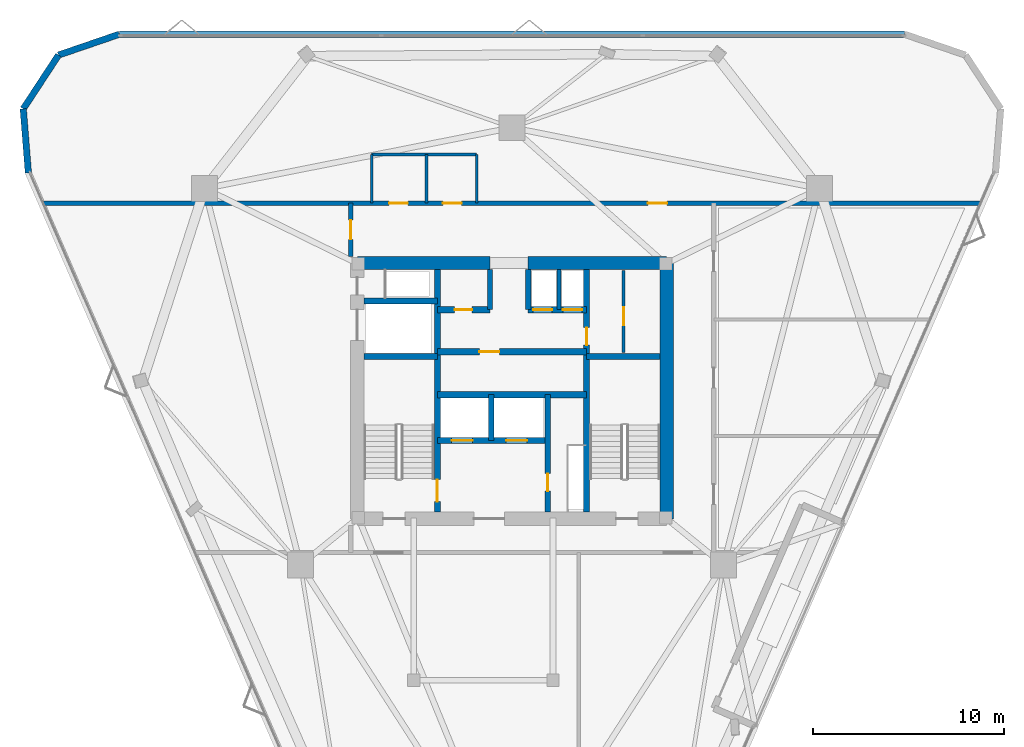
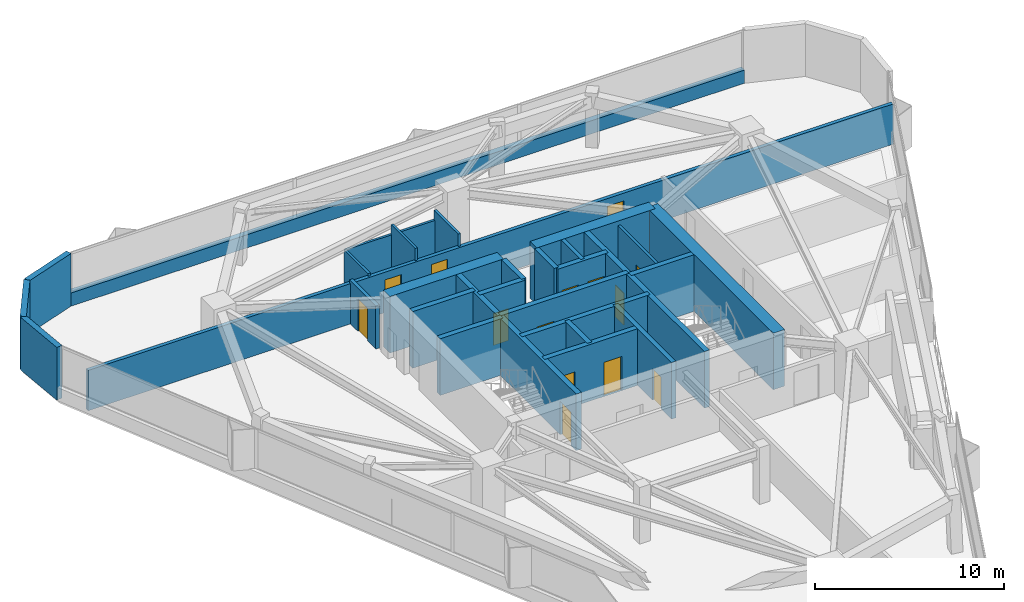
# One storey, part 8 of 11: 29 walls, 14 doors, 14 openings.
"""IFC4 building model written with IfcOpenShell, lengths in metres."""

from ifc_helpers import new_model, si_unit, direction, frame, frame_2d, origin, place, context, subcontext, project, spatial, rectangle, extrude, material, layer, layer_set, type_object, element, fill, save


model = new_model("IFC4")

# Units and contexts
model_context = context("Model", 3, precision=1e-05, world=origin(), true_north=direction((0.0, 1.0)))
body_context = subcontext(model_context, "Body", "Model", "MODEL_VIEW")
ifc_project = project(units=[si_unit("LENGTHUNIT", "METRE"), si_unit("AREAUNIT", "SQUARE_METRE"), si_unit("VOLUMEUNIT", "CUBIC_METRE"), si_unit("PLANEANGLEUNIT", "RADIAN"), si_unit("MASSUNIT", "GRAM", prefix="KILO")], contexts=[model_context])

# Site, building, storey
site_placement = place(None, origin())
site = spatial("IfcSite", under=ifc_project, at=site_placement, CompositionType="ELEMENT")
building_placement = place(site_placement, origin())
building = spatial("IfcBuilding", under=site, at=building_placement, Name="Talyreon Biosciences Tower", CompositionType="ELEMENT")
storey_placement = place(building_placement, frame((0.0, 0.0, 201.300048828125)))
storey = spatial("IfcBuildingStorey", under=building, at=storey_placement, Name="L53", CompositionType="ELEMENT", Elevation=201.300048828125)

# Walls
ifc_material_1 = material(Name="Concrete C50/60", Category="concrete")
ifc_layer_1 = layer(ifc_material_1, 0.219970703125)
ifc_layer_set_1 = layer_set([ifc_layer_1], Name="Concrete C50/60")
wall_type_1 = type_object("IfcWallType", Name="CoreShearWall_220", PredefinedType="SHEAR", material=ifc_layer_set_1)
wall_1_placement = place(storey_placement, frame((68.4599609375, 72.25, 0.0), z_axis=(0.0, 0.0, 1.0), x_axis=(0.0, 1.0, 0.0)))
element("IfcWall", 1, at=wall_1_placement, inside=storey, type_object=wall_type_1, Name="L53 Core Shaft Wall SWPHD", PredefinedType="SHEAR", context=body_context, shape_type="SweptSolid", body=[
    extrude(rectangle(XDim=2.10009765625, YDim=0.219970703125, at=frame_2d((1.050048828125, 0.0))), origin(), (0.0, 0.0, 1.0), 3.64990234375),
])
ifc_layer_2 = layer(ifc_material_1, 0.280029296875)
ifc_layer_set_2 = layer_set([ifc_layer_2], Name="Concrete C50/60")
wall_type_2 = type_object("IfcWallType", Name="CoreShearWall_280", PredefinedType="SHEAR", material=ifc_layer_set_2)
wall_2_placement = place(storey_placement, frame((64.919921875, 65.39990234375, 0.0), z_axis=(0.0, 0.0, 1.0), x_axis=(0.0, 1.0, 0.0)))
element("IfcWall", 2, at=wall_2_placement, inside=storey, type_object=wall_type_2, Name="L53 Core Shaft Wall SWSHD1", PredefinedType="SHEAR", context=body_context, shape_type="SweptSolid", body=[
    extrude(rectangle(XDim=2.400146484375, YDim=0.280029296875, at=frame_2d((1.2001953125, 0.0))), origin(), (0.0, 0.0, 1.0), 3.64990234375),
])
for number, where, z_axis, x_axis, name in (
    (3, (64.85009765625, 72.25, 0.0), (0.0, 0.0, 1.0), (0.0, 1.0, 0.0), "L53 Core Shaft Wall SWTHW"),
    (4, (66.85009765625, 72.25, 0.0), (0.0, 0.0, 1.0), (0.0, 1.0, 0.0), "L53 Core Shaft Wall SWTHE"),
):
    element("IfcWall", number, at=place(storey_placement, frame(where, z_axis=z_axis, x_axis=x_axis)), inside=storey, type_object=wall_type_2, Name=name, PredefinedType="SHEAR", context=body_context, shape_type="SweptSolid", body=[
        extrude(rectangle(XDim=2.10009765625, YDim=0.280029296875, at=frame_2d((1.050048828125, 0.0))), origin(), (0.0, 0.0, 1.0), 3.64990234375),
    ])

# Wall, opening, door
wall_3_placement = place(storey_placement, frame((67.8798828125, 61.64990234375, 0.0), z_axis=(0.0, 0.0, 1.0), x_axis=(0.0, 1.0, 0.0)))
wall_3 = element("IfcWall", 5, at=wall_3_placement, inside=storey, type_object=wall_type_2, Name="L53 Core Shaft Wall SWFFE", PredefinedType="SHEAR", context=body_context, shape_type="SweptSolid", body=[
    extrude(rectangle(XDim=6.150146484375, YDim=0.280029296875, at=frame_2d((3.0751953125, 0.0))), origin(), (0.0, 0.0, 1.0), 3.64990234375),
])
opening_1_placement = place(wall_3_placement, frame((1.10009765625, 0.0, 0.0)))
opening_1 = element("IfcOpeningElement", 6, at=opening_1_placement, cuts=wall_3, Name="Opening DR-L53-RSE", PredefinedType="OPENING", context=body_context, shape_type="SweptSolid", body=[
    extrude(rectangle(XDim=0.919921875, YDim=2.050048828125, at=frame_2d((0.4599609375, 1.02490234375))), frame((0.0, 0.14990234375, 0.0), z_axis=(0.0, -1.0, 0.0), x_axis=(1.0, 0.0, 0.0)), (0.0, 0.0, 1.0), 0.300048828125),
])
ifc_material_2 = material(Name="Painted steel fire-rated riser door", Category="steel")
door_type_1 = type_object("IfcDoorType", Name="RiserPlantAccessDoor_920x2050", OperationType="NOTDEFINED", PredefinedType="DOOR", material=ifc_material_2)
door_1_placement = place(opening_1_placement, origin())
door_1 = element("IfcDoor", 7, at=door_1_placement, inside=storey, type_object=door_type_1, Name="L53 Core Door DR-L53-RSE", OperationType="SINGLE_SWING_RIGHT", OverallHeight=2.050048828125, OverallWidth=0.919921875, PredefinedType="DOOR", context=body_context, shape_type="SweptSolid", body=[
    extrude(rectangle(XDim=0.919921875, YDim=2.050048828125, at=frame_2d((0.4599609375, 1.02490234375))), frame((0.0, 0.02490234375, 0.0), z_axis=(0.0, -1.0, 0.0), x_axis=(1.0, 0.0, 0.0)), (0.0, 0.0, 1.0), 0.050048828125),
])
fill(opening_1, door_1)

ifc_layer_3 = layer(ifc_material_1, 0.320068359375)
ifc_layer_set_3 = layer_set([ifc_layer_3], Name="Concrete C50/60")
wall_type_3 = type_object("IfcWallType", Name="CoreShearWall_320", PredefinedType="SHEAR", material=ifc_layer_set_3)
wall_4_placement = place(storey_placement, frame((62.090087890625, 61.64990234375, 0.0), z_axis=(0.0, 0.0, 1.0), x_axis=(0.0, 1.0, 0.0)))
wall_4 = element("IfcWall", 8, at=wall_4_placement, inside=storey, type_object=wall_type_3, Name="L53 Core Shaft Wall SW1E", PredefinedType="SHEAR", context=body_context, shape_type="SweptSolid", body=[
    extrude(rectangle(XDim=12.7001953125, YDim=0.320068359375, at=frame_2d((6.35009765625, 0.0))), origin(), (0.0, 0.0, 1.0), 3.64990234375),
])
opening_2_placement = place(wall_4_placement, frame((0.550048828125, 0.0, 0.0)))
opening_2 = element("IfcOpeningElement", 9, at=opening_2_placement, cuts=wall_4, Name="Opening DR-L53-FF-ST1", PredefinedType="OPENING", context=body_context, shape_type="SweptSolid", body=[
    extrude(rectangle(XDim=1.14990234375, YDim=2.14990234375, at=frame_2d((0.574951171875, 1.074951171875))), frame((0.0, 0.169921875, 0.0), z_axis=(0.0, -1.0, 0.0), x_axis=(1.0, 0.0, 0.0)), (0.0, 0.0, 1.0), 0.340087890625),
])
ifc_material_3 = material(Name="Painted steel fire door", Category="steel")
door_type_2 = type_object("IfcDoorType", Name="StairShaftFireDoor_1150x2150", OperationType="NOTDEFINED", PredefinedType="DOOR", material=ifc_material_3)
door_2_placement = place(opening_2_placement, origin())
door_2 = element("IfcDoor", 10, at=door_2_placement, inside=storey, type_object=door_type_2, Name="L53 Core Door DR-L53-FF-ST1", OperationType="SINGLE_SWING_LEFT", OverallHeight=2.14990234375, OverallWidth=1.14990234375, PredefinedType="DOOR", context=body_context, shape_type="SweptSolid", body=[
    extrude(rectangle(XDim=1.14990234375, YDim=2.14990234375, at=frame_2d((0.574951171875, 1.074951171875))), frame((0.0, 0.02490234375, 0.0), z_axis=(0.0, -1.0, 0.0), x_axis=(1.0, 0.0, 0.0)), (0.0, 0.0, 1.0), 0.050048828125),
])
fill(opening_2, door_2)

wall_5_placement = place(storey_placement, frame((69.909912109375, 61.64990234375, 0.0), z_axis=(0.0, 0.0, 1.0), x_axis=(0.0, 1.0, 0.0)))
wall_5 = element("IfcWall", 11, at=wall_5_placement, inside=storey, type_object=wall_type_3, Name="L53 Core Shaft Wall SW2W", PredefinedType="SHEAR", context=body_context, shape_type="SweptSolid", body=[
    extrude(rectangle(XDim=12.7001953125, YDim=0.320068359375, at=frame_2d((6.35009765625, 0.0))), origin(), (0.0, 0.0, 1.0), 3.64990234375),
])
opening_3_placement = place(wall_5_placement, frame((8.75, 0.0, 0.0)))
opening_3 = element("IfcOpeningElement", 12, at=opening_3_placement, cuts=wall_5, Name="Opening DR-L53-CSRV", PredefinedType="OPENING", context=body_context, shape_type="SweptSolid", body=[
    extrude(rectangle(XDim=0.919921875, YDim=2.050048828125, at=frame_2d((0.4599609375, 1.02490234375))), frame((0.0, 0.169921875, 0.0), z_axis=(0.0, -1.0, 0.0), x_axis=(1.0, 0.0, 0.0)), (0.0, 0.0, 1.0), 0.340087890625),
])
door_3_placement = place(opening_3_placement, origin())
door_3 = element("IfcDoor", 13, at=door_3_placement, inside=storey, type_object=door_type_1, Name="L53 Core Door DR-L53-CSRV", OperationType="SINGLE_SWING_RIGHT", OverallHeight=2.050048828125, OverallWidth=0.919921875, PredefinedType="DOOR", context=body_context, shape_type="SweptSolid", body=[
    extrude(rectangle(XDim=0.919921875, YDim=2.050048828125, at=frame_2d((0.4599609375, 1.02490234375))), frame((0.0, 0.02490234375, 0.0), z_axis=(0.0, -1.0, 0.0), x_axis=(1.0, 0.0, 0.0)), (0.0, 0.0, 1.0), 0.050048828125),
])
fill(opening_3, door_3)

# Walls
for number, where, z_axis, x_axis, name in (
    (14, (58.25, 69.81005859375, 0.0), (0.0, 0.0, 1.0), (1.0, 0.0, 0.0), "L53 Core Shaft Wall SW1N"),
    (15, (69.909912109375, 69.81005859375, 0.0), (0.0, 0.0, 1.0), (1.0, 0.0, 0.0), "L53 Core Shaft Wall SW2N"),
    (16, (58.25, 72.699951171875, 0.0), (0.0, 0.0, 1.0), (1.0, 0.0, 0.0), "L53 Core Shaft Wall SWGLN"),
):
    element("IfcWall", number, at=place(storey_placement, frame(where, z_axis=z_axis, x_axis=x_axis)), inside=storey, type_object=wall_type_3, Name=name, PredefinedType="SHEAR", context=body_context, shape_type="SweptSolid", body=[
        extrude(rectangle(XDim=3.840087890625, YDim=0.320068359375, at=frame_2d((1.919921875, 0.0))), origin(), (0.0, 0.0, 1.0), 3.64990234375),
    ])
wall_6_placement = place(storey_placement, frame((62.090087890625, 67.800048828125, 0.0), z_axis=(0.0, 0.0, 1.0), x_axis=(1.0, 0.0, 0.0)))
element("IfcWall", 17, at=wall_6_placement, inside=storey, type_object=wall_type_3, Name="L53 Core Shaft Wall SWSHM", PredefinedType="SHEAR", context=body_context, shape_type="SweptSolid", body=[
    extrude(rectangle(XDim=7.81982421875, YDim=0.320068359375, at=frame_2d((3.909912109375, 0.0))), origin(), (0.0, 0.0, 1.0), 3.64990234375),
])

# Wall, opening, door
wall_7_placement = place(storey_placement, frame((62.090087890625, 70.050048828125, 0.0), z_axis=(0.0, 0.0, 1.0), x_axis=(1.0, 0.0, 0.0)))
wall_7 = element("IfcWall", 18, at=wall_7_placement, inside=storey, type_object=wall_type_3, Name="L53 Core Shaft Wall SWSPN", PredefinedType="SHEAR", context=body_context, shape_type="SweptSolid", body=[
    extrude(rectangle(XDim=7.81982421875, YDim=0.320068359375, at=frame_2d((3.909912109375, 0.0))), origin(), (0.0, 0.0, 1.0), 3.64990234375),
])
opening_4_placement = place(wall_7_placement, frame((2.199951171875, 0.0, 0.0)))
opening_4 = element("IfcOpeningElement", 19, at=opening_4_placement, cuts=wall_7, Name="Opening DR-L53-PLPMFREE", PredefinedType="OPENING", context=body_context, shape_type="SweptSolid", body=[
    extrude(rectangle(XDim=1.050048828125, YDim=2.14990234375, at=frame_2d((0.52490234375, 1.074951171875))), frame((0.0, 0.169921875, 0.0), z_axis=(0.0, -1.0, 0.0), x_axis=(1.0, 0.0, 0.0)), (0.0, 0.0, 1.0), 0.340087890625),
])
ifc_material_4 = material(Name="Acoustic timber-core laboratory door", Category="wood")
door_type_3 = type_object("IfcDoorType", Name="DryLabSingleDoor_1050x2150", OperationType="NOTDEFINED", PredefinedType="DOOR", material=ifc_material_4)
door_4_placement = place(opening_4_placement, origin())
door_4 = element("IfcDoor", 20, at=door_4_placement, inside=storey, type_object=door_type_3, Name="L53 Core Door DR-L53-PLPMFREE", OperationType="SINGLE_SWING_LEFT", OverallHeight=2.14990234375, OverallWidth=1.050048828125, PredefinedType="DOOR", context=body_context, shape_type="SweptSolid", body=[
    extrude(rectangle(XDim=1.050048828125, YDim=2.14990234375, at=frame_2d((0.52490234375, 1.074951171875))), frame((0.0, 0.02490234375, 0.0), z_axis=(0.0, -1.0, 0.0), x_axis=(1.0, 0.0, 0.0)), (0.0, 0.0, 1.0), 0.050048828125),
])
fill(opening_4, door_4)

wall_8_placement = place(storey_placement, frame((62.090087890625, 72.25, 0.0), z_axis=(0.0, 0.0, 1.0), x_axis=(1.0, 0.0, 0.0)))
wall_8 = element("IfcWall", 21, at=wall_8_placement, inside=storey, type_object=wall_type_3, Name="L53 Core Shaft Wall SWNPW", PredefinedType="SHEAR", context=body_context, shape_type="SweptSolid", body=[
    extrude(rectangle(XDim=2.760009765625, YDim=0.320068359375, at=frame_2d((1.3798828125, 0.0))), origin(), (0.0, 0.0, 1.0), 3.64990234375),
])
opening_5_placement = place(wall_8_placement, frame((0.89990234375, 0.0, 0.0)))
opening_5 = element("IfcOpeningElement", 22, at=opening_5_placement, cuts=wall_8, Name="Opening DR-L53-PM2FREE", PredefinedType="OPENING", context=body_context, shape_type="SweptSolid", body=[
    extrude(rectangle(XDim=0.919921875, YDim=2.050048828125, at=frame_2d((0.4599609375, 1.02490234375))), frame((0.0, 0.169921875, 0.0), z_axis=(0.0, -1.0, 0.0), x_axis=(1.0, 0.0, 0.0)), (0.0, 0.0, 1.0), 0.340087890625),
])
door_5_placement = place(opening_5_placement, origin())
door_5 = element("IfcDoor", 23, at=door_5_placement, inside=storey, type_object=door_type_1, Name="L53 Core Door DR-L53-PM2FREE", OperationType="SINGLE_SWING_RIGHT", OverallHeight=2.050048828125, OverallWidth=0.919921875, PredefinedType="DOOR", context=body_context, shape_type="SweptSolid", body=[
    extrude(rectangle(XDim=0.919921875, YDim=2.050048828125, at=frame_2d((0.4599609375, 1.02490234375))), frame((0.0, 0.02490234375, 0.0), z_axis=(0.0, -1.0, 0.0), x_axis=(1.0, 0.0, 0.0)), (0.0, 0.0, 1.0), 0.050048828125),
])
fill(opening_5, door_5)

# Wall, openings, doors
wall_9_placement = place(storey_placement, frame((66.85009765625, 72.25, 0.0), z_axis=(0.0, 0.0, 1.0), x_axis=(1.0, 0.0, 0.0)))
wall_9 = element("IfcWall", 24, at=wall_9_placement, inside=storey, type_object=wall_type_3, Name="L53 Core Shaft Wall SWNPE", PredefinedType="SHEAR", context=body_context, shape_type="SweptSolid", body=[
    extrude(rectangle(XDim=3.059814453125, YDim=0.320068359375, at=frame_2d((1.52978515625, 0.0))), origin(), (0.0, 0.0, 1.0), 3.64990234375),
])
opening_6_placement = place(wall_9_placement, frame((0.25, 0.0, 0.0)))
opening_6 = element("IfcOpeningElement", 25, at=opening_6_placement, cuts=wall_9, Name="Opening LD-L53-PH1", PredefinedType="OPENING", context=body_context, shape_type="SweptSolid", body=[
    extrude(rectangle(XDim=1.0, YDim=2.199951171875, at=frame_2d((0.5, 1.10009765625))), frame((0.0, 0.169921875, 0.0), z_axis=(0.0, -1.0, 0.0), x_axis=(1.0, 0.0, 0.0)), (0.0, 0.0, 1.0), 0.340087890625),
])
opening_7_placement = place(wall_9_placement, frame((1.820068359375, 0.0, 0.0)))
opening_7 = element("IfcOpeningElement", 26, at=opening_7_placement, cuts=wall_9, Name="Opening LD-L53-PH2", PredefinedType="OPENING", context=body_context, shape_type="SweptSolid", body=[
    extrude(rectangle(XDim=1.0, YDim=2.199951171875, at=frame_2d((0.5, 1.10009765625))), frame((0.0, 0.169921875, 0.0), z_axis=(0.0, -1.0, 0.0), x_axis=(1.0, 0.0, 0.0)), (0.0, 0.0, 1.0), 0.340087890625),
])
ifc_material_5 = material(Name="Brushed stainless-steel lift landing door", Category="steel")
door_type_4 = type_object("IfcDoorType", Name="LiftSlidingLandingDoor_1100x2200", OperationType="SLIDING_TO_LEFT", PredefinedType="DOOR", material=ifc_material_5)
door_6_placement = place(opening_6_placement, origin())
door_6 = element("IfcDoor", 27, at=door_6_placement, inside=storey, type_object=door_type_4, Name="L53 Core Door LD-L53-PH1", OperationType="SLIDING_TO_LEFT", OverallHeight=2.199951171875, OverallWidth=1.0, PredefinedType="DOOR", context=body_context, shape_type="SweptSolid", body=[
    extrude(rectangle(XDim=1.0, YDim=2.199951171875, at=frame_2d((0.5, 1.10009765625))), frame((0.0, 0.02490234375, 0.0), z_axis=(0.0, -1.0, 0.0), x_axis=(1.0, 0.0, 0.0)), (0.0, 0.0, 1.0), 0.050048828125),
])
fill(opening_6, door_6)
door_7_placement = place(opening_7_placement, origin())
door_7 = element("IfcDoor", 28, at=door_7_placement, inside=storey, type_object=door_type_4, Name="L53 Core Door LD-L53-PH2", OperationType="SLIDING_TO_LEFT", OverallHeight=2.199951171875, OverallWidth=1.0, PredefinedType="DOOR", context=body_context, shape_type="SweptSolid", body=[
    extrude(rectangle(XDim=1.0, YDim=2.199951171875, at=frame_2d((0.5, 1.10009765625))), frame((0.0, 0.02490234375, 0.0), z_axis=(0.0, -1.0, 0.0), x_axis=(1.0, 0.0, 0.0)), (0.0, 0.0, 1.0), 0.050048828125),
])
fill(opening_7, door_7)

wall_10_placement = place(storey_placement, frame((62.090087890625, 65.39990234375, 0.0), z_axis=(0.0, 0.0, 1.0), x_axis=(1.0, 0.0, 0.0)))
wall_10 = element("IfcWall", 29, at=wall_10_placement, inside=storey, type_object=wall_type_3, Name="L53 Core Shaft Wall SWFFN", PredefinedType="SHEAR", context=body_context, shape_type="SweptSolid", body=[
    extrude(rectangle(XDim=5.789794921875, YDim=0.320068359375, at=frame_2d((2.89501953125, 0.0))), origin(), (0.0, 0.0, 1.0), 3.64990234375),
])
opening_8_placement = place(wall_10_placement, frame((0.75, 0.0, 0.0)))
opening_8 = element("IfcOpeningElement", 30, at=opening_8_placement, cuts=wall_10, Name="Opening LD-L53-FL1", PredefinedType="OPENING", context=body_context, shape_type="SweptSolid", body=[
    extrude(rectangle(XDim=1.10009765625, YDim=2.199951171875, at=frame_2d((0.550048828125, 1.10009765625))), frame((0.0, 0.169921875, 0.0), z_axis=(0.0, -1.0, 0.0), x_axis=(1.0, 0.0, 0.0)), (0.0, 0.0, 1.0), 0.340087890625),
])
opening_9_placement = place(wall_10_placement, frame((3.60009765625, 0.0, 0.0)))
opening_9 = element("IfcOpeningElement", 31, at=opening_9_placement, cuts=wall_10, Name="Opening LD-L53-FL2", PredefinedType="OPENING", context=body_context, shape_type="SweptSolid", body=[
    extrude(rectangle(XDim=1.10009765625, YDim=2.199951171875, at=frame_2d((0.550048828125, 1.10009765625))), frame((0.0, 0.169921875, 0.0), z_axis=(0.0, -1.0, 0.0), x_axis=(1.0, 0.0, 0.0)), (0.0, 0.0, 1.0), 0.340087890625),
])
door_8_placement = place(opening_8_placement, origin())
door_8 = element("IfcDoor", 32, at=door_8_placement, inside=storey, type_object=door_type_4, Name="L53 Core Door LD-L53-FL1", OperationType="SLIDING_TO_LEFT", OverallHeight=2.199951171875, OverallWidth=1.10009765625, PredefinedType="DOOR", context=body_context, shape_type="SweptSolid", body=[
    extrude(rectangle(XDim=1.10009765625, YDim=2.199951171875, at=frame_2d((0.550048828125, 1.10009765625))), frame((0.0, 0.02490234375, 0.0), z_axis=(0.0, -1.0, 0.0), x_axis=(1.0, 0.0, 0.0)), (0.0, 0.0, 1.0), 0.050048828125),
])
fill(opening_8, door_8)
door_9_placement = place(opening_9_placement, origin())
door_9 = element("IfcDoor", 33, at=door_9_placement, inside=storey, type_object=door_type_4, Name="L53 Core Door LD-L53-FL2", OperationType="SLIDING_TO_LEFT", OverallHeight=2.199951171875, OverallWidth=1.10009765625, PredefinedType="DOOR", context=body_context, shape_type="SweptSolid", body=[
    extrude(rectangle(XDim=1.10009765625, YDim=2.199951171875, at=frame_2d((0.550048828125, 1.10009765625))), frame((0.0, 0.02490234375, 0.0), z_axis=(0.0, -1.0, 0.0), x_axis=(1.0, 0.0, 0.0)), (0.0, 0.0, 1.0), 0.050048828125),
])
fill(opening_9, door_9)

# Walls
ifc_layer_4 = layer(ifc_material_1, 0.699951171875)
ifc_layer_set_4 = layer_set([ifc_layer_4], Name="Concrete C50/60")
wall_type_4 = type_object("IfcWallType", Name="CoreShearWall_700", PredefinedType="SHEAR", material=ifc_layer_set_4)
wall_11_placement = place(storey_placement, frame((74.10009765625, 61.300048828125, 0.0), z_axis=(0.0, 0.0, 1.0), x_axis=(0.0, 1.0, 0.0)))
element("IfcWall", 34, at=wall_11_placement, inside=storey, type_object=wall_type_4, Name="L53 Core Shear Wall E", PredefinedType="SHEAR", context=body_context, shape_type="SweptSolid", body=[
    extrude(rectangle(XDim=13.39990234375, YDim=0.699951171875, at=frame_2d((6.699951171875, 0.0))), origin(), (0.0, 0.0, 1.0), 3.64990234375),
])
wall_12_placement = place(storey_placement, frame((74.10009765625, 74.699951171875, 0.0), z_axis=(0.0, 0.0, 1.0), x_axis=(-1.0, 0.0, 0.0)))
element("IfcWall", 35, at=wall_12_placement, inside=storey, type_object=wall_type_4, Name="L53 Core Shear Wall NE", PredefinedType="SHEAR", context=body_context, shape_type="SweptSolid", body=[
    extrude(rectangle(XDim=7.25, YDim=0.699951171875, at=frame_2d((3.625, 0.0))), origin(), (0.0, 0.0, 1.0), 3.64990234375),
])
wall_13_placement = place(storey_placement, frame((64.85009765625, 74.699951171875, 0.0), z_axis=(0.0, 0.0, 1.0), x_axis=(-1.0, 0.0, 0.0)))
element("IfcWall", 36, at=wall_13_placement, inside=storey, type_object=wall_type_4, Name="L53 Core Shear Wall NW", PredefinedType="SHEAR", context=body_context, shape_type="SweptSolid", body=[
    extrude(rectangle(XDim=6.9501953125, YDim=0.699951171875, at=frame_2d((3.47509765625, 0.0))), origin(), (0.0, 0.0, 1.0), 3.64990234375),
])

# Wall, openings, doors
ifc_material_6 = material(Name="Gypsum fireboard acoustic stud", Category="gypsum")
ifc_layer_5 = layer(ifc_material_6, 0.219970703125)
ifc_layer_set_5 = layer_set([ifc_layer_5], Name="Gypsum fireboard acoustic stud")
wall_type_5 = type_object("IfcWallType", Name="CorridorRatedPartition_220", PredefinedType="PARTITIONING", material=ifc_layer_set_5)
wall_14_placement = place(storey_placement, frame((41.446044921875, 77.830078125, 0.0), z_axis=(0.0, 0.0, 1.0), x_axis=(1.0, 0.0, 0.0)))
wall_14 = element("IfcWall", 37, at=wall_14_placement, inside=storey, type_object=wall_type_5, Name="L53 Interior Wall IW-L53-COR-N", PredefinedType="PARTITIONING", context=body_context, shape_type="SweptSolid", body=[
    extrude(rectangle(XDim=49.10791015625, YDim=0.219970703125, at=frame_2d((24.553955078125, 0.0))), origin(), (0.0, 0.0, 1.0), 2.599853515625),
])
opening_10_placement = place(wall_14_placement, frame((18.114013671875, 0.0, 0.0)))
opening_10 = element("IfcOpeningElement", 38, at=opening_10_placement, cuts=wall_14, Name="Opening DR-L53-WC", PredefinedType="OPENING", context=body_context, shape_type="SweptSolid", body=[
    extrude(rectangle(XDim=0.97998046875, YDim=2.10009765625, at=frame_2d((0.489990234375, 1.050048828125))), frame((0.0, 0.119873046875, 0.0), z_axis=(0.0, -1.0, 0.0), x_axis=(1.0, 0.0, 0.0)), (0.0, 0.0, 1.0), 0.239990234375),
])
opening_11_placement = place(wall_14_placement, frame((20.93896484375, 0.0, 0.0)))
opening_11 = element("IfcOpeningElement", 39, at=opening_11_placement, cuts=wall_14, Name="Opening DR-L53-AWC", PredefinedType="OPENING", context=body_context, shape_type="SweptSolid", body=[
    extrude(rectangle(XDim=0.97998046875, YDim=2.10009765625, at=frame_2d((0.489990234375, 1.050048828125))), frame((0.0, 0.119873046875, 0.0), z_axis=(0.0, -1.0, 0.0), x_axis=(1.0, 0.0, 0.0)), (0.0, 0.0, 1.0), 0.239990234375),
])
opening_12_placement = place(wall_14_placement, frame((31.676025390625, 0.0, 0.0)))
opening_12 = element("IfcOpeningElement", 40, at=opening_12_placement, cuts=wall_14, Name="Opening DR-L53-N1A", PredefinedType="OPENING", context=body_context, shape_type="SweptSolid", body=[
    extrude(rectangle(XDim=1.0, YDim=2.10009765625, at=frame_2d((0.5, 1.050048828125))), frame((0.0, 0.119873046875, 0.0), z_axis=(0.0, -1.0, 0.0), x_axis=(1.0, 0.0, 0.0)), (0.0, 0.0, 1.0), 0.239990234375),
])
ifc_material_7 = material(Name="Laminate moisture-resistant door", Category="wood")
door_type_5 = type_object("IfcDoorType", Name="AccessibleToiletDoor_980x2100", OperationType="NOTDEFINED", PredefinedType="DOOR", material=ifc_material_7)
door_10_placement = place(opening_10_placement, origin())
door_10 = element("IfcDoor", 41, at=door_10_placement, inside=storey, type_object=door_type_5, Name="L53 Interior Door DR-L53-WC", OperationType="SINGLE_SWING_LEFT", OverallHeight=2.10009765625, OverallWidth=0.97998046875, PredefinedType="DOOR", context=body_context, shape_type="SweptSolid", body=[
    extrude(rectangle(XDim=0.97998046875, YDim=2.10009765625, at=frame_2d((0.489990234375, 1.050048828125))), frame((0.0, 0.02490234375, 0.0), z_axis=(0.0, -1.0, 0.0), x_axis=(1.0, 0.0, 0.0)), (0.0, 0.0, 1.0), 0.050048828125),
])
fill(opening_10, door_10)
door_11_placement = place(opening_11_placement, origin())
door_11 = element("IfcDoor", 42, at=door_11_placement, inside=storey, type_object=door_type_5, Name="L53 Interior Door DR-L53-AWC", OperationType="SINGLE_SWING_LEFT", OverallHeight=2.10009765625, OverallWidth=0.97998046875, PredefinedType="DOOR", context=body_context, shape_type="SweptSolid", body=[
    extrude(rectangle(XDim=0.97998046875, YDim=2.10009765625, at=frame_2d((0.489990234375, 1.050048828125))), frame((0.0, 0.02490234375, 0.0), z_axis=(0.0, -1.0, 0.0), x_axis=(1.0, 0.0, 0.0)), (0.0, 0.0, 1.0), 0.050048828125),
])
fill(opening_11, door_11)
ifc_material_8 = material(Name="Acoustic oak veneer office door", Category="wood")
door_type_6 = type_object("IfcDoorType", Name="WriteupOfficeDoor_1000x2100", OperationType="NOTDEFINED", PredefinedType="DOOR", material=ifc_material_8)
door_12_placement = place(opening_12_placement, origin())
door_12 = element("IfcDoor", 43, at=door_12_placement, inside=storey, type_object=door_type_6, Name="L53 Interior Door DR-L53-N1A", OperationType="SINGLE_SWING_RIGHT", OverallHeight=2.10009765625, OverallWidth=1.0, PredefinedType="DOOR", context=body_context, shape_type="SweptSolid", body=[
    extrude(rectangle(XDim=1.0, YDim=2.10009765625, at=frame_2d((0.5, 1.050048828125))), frame((0.0, 0.02490234375, 0.0), z_axis=(0.0, -1.0, 0.0), x_axis=(1.0, 0.0, 0.0)), (0.0, 0.0, 1.0), 0.050048828125),
])
fill(opening_12, door_12)

# Wall, opening, door
wall_15_placement = place(storey_placement, frame((57.550048828125, 75.050048828125, 0.0), z_axis=(0.0, 0.0, 1.0), x_axis=(0.0, 1.0, 0.0)))
wall_15 = element("IfcWall", 44, at=wall_15_placement, inside=storey, type_object=wall_type_5, Name="L53 Interior Wall IW-L53-WCAP-N", PredefinedType="PARTITIONING", context=body_context, shape_type="SweptSolid", body=[
    extrude(rectangle(XDim=2.780029296875, YDim=0.219970703125, at=frame_2d((1.39013671875, 0.0))), origin(), (0.0, 0.0, 1.0), 2.780029296875),
])
opening_13_placement = place(wall_15_placement, frame((0.889892578125, 0.0, 0.0)))
opening_13 = element("IfcOpeningElement", 45, at=opening_13_placement, cuts=wall_15, Name="Opening DR-L53-W1A", PredefinedType="OPENING", context=body_context, shape_type="SweptSolid", body=[
    extrude(rectangle(XDim=1.0, YDim=2.10009765625, at=frame_2d((0.5, 1.050048828125))), frame((0.0, 0.119873046875, 0.0), z_axis=(0.0, -1.0, 0.0), x_axis=(1.0, 0.0, 0.0)), (0.0, 0.0, 1.0), 0.239990234375),
])
door_13_placement = place(opening_13_placement, origin())
door_13 = element("IfcDoor", 46, at=door_13_placement, inside=storey, type_object=door_type_6, Name="L53 Interior Door DR-L53-W1A", OperationType="SINGLE_SWING_LEFT", OverallHeight=2.10009765625, OverallWidth=1.0, PredefinedType="DOOR", context=body_context, shape_type="SweptSolid", body=[
    extrude(rectangle(XDim=1.0, YDim=2.10009765625, at=frame_2d((0.5, 1.050048828125))), frame((0.0, 0.02490234375, 0.0), z_axis=(0.0, -1.0, 0.0), x_axis=(1.0, 0.0, 0.0)), (0.0, 0.0, 1.0), 0.050048828125),
])
fill(opening_13, door_13)

ifc_material_9 = material(Name="Gypsum acoustic stud partition", Category="gypsum")
ifc_layer_6 = layer(ifc_material_9, 0.159912109375)
ifc_layer_set_6 = layer_set([ifc_layer_6], Name="Gypsum acoustic stud partition")
wall_type_6 = type_object("IfcWallType", Name="LabSeparationPartition_160", PredefinedType="PARTITIONING", material=ifc_layer_set_6)
wall_16_placement = place(storey_placement, frame((71.85009765625, 70.0, 0.0), z_axis=(0.0, 0.0, 1.0), x_axis=(0.0, 1.0, 0.0)))
wall_16 = element("IfcWall", 47, at=wall_16_placement, inside=storey, type_object=wall_type_6, Name="L53 Interior Wall IW-L53-CSRV-V", PredefinedType="PARTITIONING", context=body_context, shape_type="SweptSolid", body=[
    extrude(rectangle(XDim=4.300048828125, YDim=0.159912109375, at=frame_2d((2.14990234375, 0.0))), origin(), (0.0, 0.0, 1.0), 3.39990234375),
])
opening_14_placement = place(wall_16_placement, frame((1.449951171875, 0.0, 0.0)))
opening_14 = element("IfcOpeningElement", 48, at=opening_14_placement, cuts=wall_16, Name="Opening DR-L53-CSRV-I", PredefinedType="OPENING", context=body_context, shape_type="SweptSolid", body=[
    extrude(rectangle(XDim=0.919921875, YDim=2.050048828125, at=frame_2d((0.4599609375, 1.02490234375))), frame((0.0, 0.08984375, 0.0), z_axis=(0.0, -1.0, 0.0), x_axis=(1.0, 0.0, 0.0)), (0.0, 0.0, 1.0), 0.179931640625),
])
door_14_placement = place(opening_14_placement, origin())
door_14 = element("IfcDoor", 49, at=door_14_placement, inside=storey, type_object=door_type_1, Name="L53 Interior Door DR-L53-CSRV-I", OperationType="SINGLE_SWING_RIGHT", OverallHeight=2.050048828125, OverallWidth=0.919921875, PredefinedType="DOOR", context=body_context, shape_type="SweptSolid", body=[
    extrude(rectangle(XDim=0.919921875, YDim=2.050048828125, at=frame_2d((0.4599609375, 1.02490234375))), frame((0.0, 0.02490234375, 0.0), z_axis=(0.0, -1.0, 0.0), x_axis=(1.0, 0.0, 0.0)), (0.0, 0.0, 1.0), 0.050048828125),
])
fill(opening_14, door_14)

# Walls
ifc_material_10 = material(Name="Precast concrete C45/55", Category="concrete")
ifc_layer_7 = layer(ifc_material_10, 0.340087890625)
ifc_layer_set_7 = layer_set([ifc_layer_7], Name="Precast concrete C45/55")
wall_type_7 = type_object("IfcWallType", Name="PrecastConcreteSpandrelWall_340", PredefinedType="STANDARD", material=ifc_layer_set_7)
wall_17_placement = place(storey_placement, frame((40.66552734375, 79.412353515625, 0.0), z_axis=(0.0, 0.0, 1.0), x_axis=(-0.079802786794, 0.996810671702, 0.0)))
element("IfcWall", 50, at=wall_17_placement, inside=storey, type_object=wall_type_7, Name="L53 Rounded-Corner Concrete Pier 00", PredefinedType="STANDARD", context=body_context, shape_type="SweptSolid", body=[
    extrude(rectangle(XDim=3.371337890625, YDim=0.340087890625, at=frame_2d((1.685546875, 0.0))), origin(), (0.0, 0.0, 1.0), 3.39990234375),
])
wall_18_placement = place(storey_placement, frame((40.396484375, 82.77294921875, 0.0), z_axis=(0.0, 0.0, 1.0), x_axis=(0.548384356693, 0.836226403155, 0.0)))
element("IfcWall", 51, at=wall_18_placement, inside=storey, type_object=wall_type_7, Name="L53 Rounded-Corner Concrete Pier 01", PredefinedType="STANDARD", context=body_context, shape_type="SweptSolid", body=[
    extrude(rectangle(XDim=3.37158203125, YDim=0.340087890625, at=frame_2d((1.685791015625, 0.0))), origin(), (0.0, 0.0, 1.0), 3.39990234375),
])
wall_19_placement = place(storey_placement, frame((42.245361328125, 85.59228515625, 0.0), z_axis=(0.0, 0.0, 1.0), x_axis=(0.945984660403, 0.324211385182, 0.0)))
element("IfcWall", 52, at=wall_19_placement, inside=storey, type_object=wall_type_7, Name="L53 Rounded-Corner Concrete Pier 02", PredefinedType="STANDARD", context=body_context, shape_type="SweptSolid", body=[
    extrude(rectangle(XDim=3.371337890625, YDim=0.340087890625, at=frame_2d((1.685546875, 0.0))), origin(), (0.0, 0.0, 1.0), 3.39990234375),
])
wall_20_placement = place(storey_placement, frame((45.4345703125, 86.685302734375, 0.0), z_axis=(0.0, 0.0, 1.0), x_axis=(1.0, 0.0, 0.0)))
element("IfcWall", 53, at=wall_20_placement, inside=storey, type_object=wall_type_7, Name="L53 Expressed Concrete Sill Wall 03", PredefinedType="STANDARD", context=body_context, shape_type="SweptSolid", body=[
    extrude(rectangle(XDim=41.130859375, YDim=0.340087890625, at=frame_2d((20.5654296875, 0.0))), origin(), (0.0, 0.0, 1.0), 0.849853515625),
])
ifc_material_11 = material(Name="Moisture-resistant cement-board stud", Category="gypsum")
ifc_layer_8 = layer(ifc_material_11, 0.14501953125)
ifc_layer_set_8 = layer_set([ifc_layer_8], Name="Moisture-resistant cement-board stud")
wall_type_8 = type_object("IfcWallType", Name="WetRoomPartition_145", PredefinedType="PARTITIONING", material=ifc_layer_set_8)
wall_21_placement = place(storey_placement, frame((58.64990234375, 77.830078125, 0.0), z_axis=(0.0, 0.0, 1.0), x_axis=(0.0, 1.0, 0.0)))
element("IfcWall", 54, at=wall_21_placement, inside=storey, type_object=wall_type_8, Name="L53 Interior Wall IW-L53-WCL", PredefinedType="PARTITIONING", context=body_context, shape_type="SweptSolid", body=[
    extrude(rectangle(XDim=2.5498046875, YDim=0.14501953125, at=frame_2d((1.27490234375, 0.0))), origin(), (0.0, 0.0, 1.0), 2.780029296875),
])
for number, where, z_axis, x_axis, name in (
    (55, (61.52490234375, 77.830078125, 0.0), (0.0, 0.0, 1.0), (0.0, 1.0, 0.0), "L53 Interior Wall IW-L53-WCM"),
    (56, (64.14990234375, 77.830078125, 0.0), (0.0, 0.0, 1.0), (0.0, 1.0, 0.0), "L53 Interior Wall IW-L53-WCR"),
):
    element("IfcWall", number, at=place(storey_placement, frame(where, z_axis=z_axis, x_axis=x_axis)), inside=storey, type_object=wall_type_8, Name=name, PredefinedType="PARTITIONING", context=body_context, shape_type="SweptSolid", body=[
        extrude(rectangle(XDim=2.5498046875, YDim=0.14501953125, at=frame_2d((1.27490234375, 0.0))), origin(), (0.0, 0.0, 1.0), 3.39990234375),
    ])
wall_22_placement = place(storey_placement, frame((58.64990234375, 80.3798828125, 0.0), z_axis=(0.0, 0.0, 1.0), x_axis=(1.0, 0.0, 0.0)))
element("IfcWall", 57, at=wall_22_placement, inside=storey, type_object=wall_type_8, Name="L53 Interior Wall IW-L53-WCT", PredefinedType="PARTITIONING", context=body_context, shape_type="SweptSolid", body=[
    extrude(rectangle(XDim=5.5, YDim=0.14501953125, at=frame_2d((2.75, 0.0))), origin(), (0.0, 0.0, 1.0), 2.780029296875),
])

save(model, "model.ifc")
